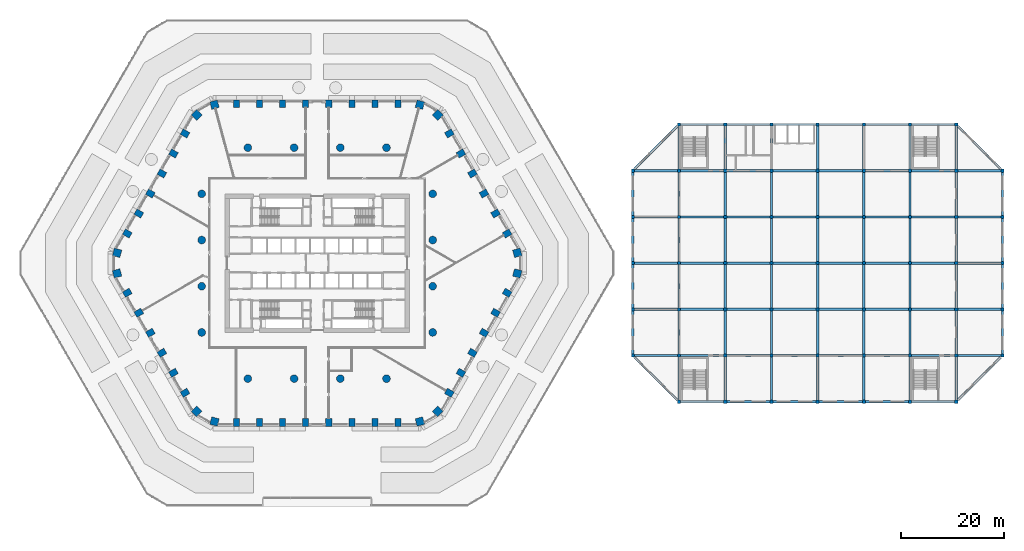
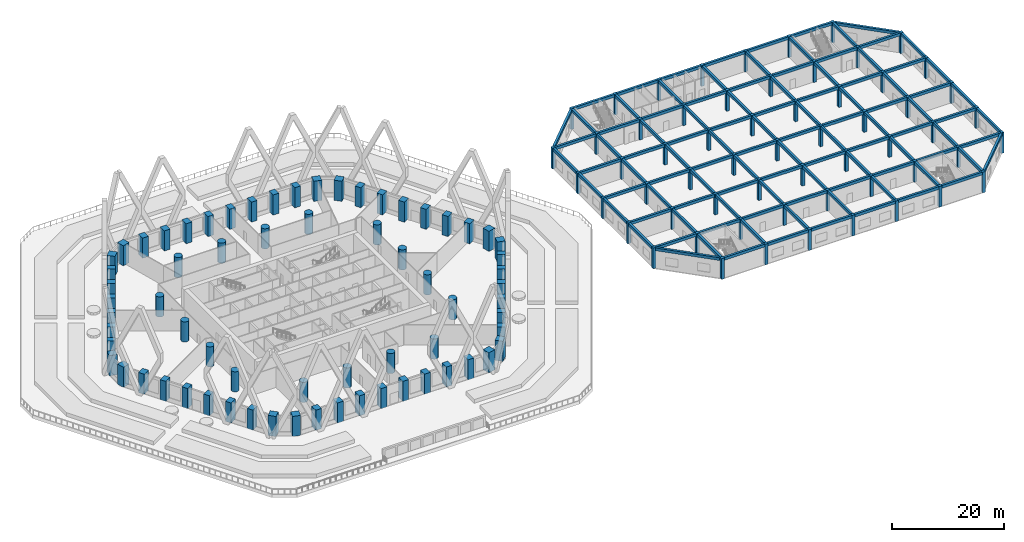
# One storey, part 1 of 27: 127 columns, 106 beams.
"""IFC4 building model written with IfcOpenShell, lengths in metres."""

from ifc_helpers import new_model, si_unit, direction, frame, origin, origin_2d, place, context, subcontext, project, spatial, rectangle, circle, extrude, material, material_profile, profile_set, type_object, element, save


model = new_model("IFC4")

# Units and contexts
model_context = context("Model", 3, precision=1e-05, world=origin(), true_north=direction((0.0, 1.0)))
body_context = subcontext(model_context, "Body", "Model", "MODEL_VIEW")
ifc_project = project(units=[si_unit("LENGTHUNIT", "METRE"), si_unit("AREAUNIT", "SQUARE_METRE"), si_unit("VOLUMEUNIT", "CUBIC_METRE"), si_unit("PLANEANGLEUNIT", "RADIAN"), si_unit("MASSUNIT", "GRAM", prefix="KILO")], contexts=[model_context])

# Site, building, storey
site_placement = place(None, origin())
site = spatial("IfcSite", under=ifc_project, at=site_placement, CompositionType="ELEMENT")
building_placement = place(site_placement, origin())
building = spatial("IfcBuilding", under=site, at=building_placement, Name="Dhurran Vertical Campus", CompositionType="ELEMENT")
storey_placement = place(building_placement, frame((0.0, 0.0, 10.800048828125)))
storey = spatial("IfcBuildingStorey", under=building, at=storey_placement, Name="L02", CompositionType="ELEMENT", Elevation=10.800048828125)

# Columns
ifc_material_1 = material(Name="Concrete C70/85", Category="concrete")
ifc_material_profile_1 = material_profile(ifc_material_1, rectangle(XDim=1.199951171875, YDim=1.5, at=origin_2d()), Name="RC 1200x1500")
ifc_profile_set_1 = profile_set([ifc_material_profile_1], Name="Concrete C70/85")
column_type_1 = type_object("IfcColumnType", Name="FR COL RC 1200x1500 C70/85", PredefinedType="COLUMN", material=ifc_profile_set_1)
for number, where, z_axis, x_axis, name in (
    (1, (-15.75, -31.02978515625, 0.0), (0.0, 0.0, 1.0), (1.0, 0.0, 0.0), "Perimeter pier PP0.01"),
    (2, (-11.25, -31.02978515625, 0.0), (0.0, 0.0, 1.0), (1.0, 0.0, 0.0), "Perimeter pier PP0.02"),
    (3, (-6.75, -31.02978515625, 0.0), (0.0, 0.0, 1.0), (1.0, 0.0, 0.0), "Perimeter pier PP0.03"),
    (4, (-2.25, -31.02978515625, 0.0), (0.0, 0.0, 1.0), (1.0, 0.0, 0.0), "Perimeter pier PP0.04"),
    (5, (2.25, -31.02978515625, 0.0), (0.0, 0.0, 1.0), (1.0, 0.0, 0.0), "Perimeter pier PP0.05"),
    (6, (6.75, -31.02978515625, 0.0), (0.0, 0.0, 1.0), (1.0, 0.0, 0.0), "Perimeter pier PP0.06"),
    (7, (11.25, -31.02978515625, 0.0), (0.0, 0.0, 1.0), (1.0, 0.0, 0.0), "Perimeter pier PP0.07"),
    (8, (15.75, -31.02978515625, 0.0), (0.0, 0.0, 1.0), (1.0, 0.0, 0.0), "Perimeter pier PP0.08"),
    (9, (25.74755859375, -25.2578125, 0.0), (0.0, 0.0, 1.0), (0.5, 0.866025403784, 0.0), "Perimeter pier PP0.11"),
    (10, (27.99755859375, -21.360595703125, 0.0), (0.0, 0.0, 1.0), (0.5, 0.866025403784, 0.0), "Perimeter pier PP0.12"),
    (11, (30.24755859375, -17.46337890625, 0.0), (0.0, 0.0, 1.0), (0.5, 0.866025403784, 0.0), "Perimeter pier PP0.13"),
    (12, (32.49755859375, -13.56640625, 0.0), (0.0, 0.0, 1.0), (0.5, 0.866025403784, 0.0), "Perimeter pier PP0.14"),
    (13, (34.74755859375, -9.669189453125, 0.0), (0.0, 0.0, 1.0), (0.5, 0.866025403784, 0.0), "Perimeter pier PP0.15"),
    (14, (36.99755859375, -5.772216796875, 0.0), (0.0, 0.0, 1.0), (0.5, 0.866025403784, 0.0), "Perimeter pier PP0.16"),
    (15, (36.99755859375, 5.772216796875, 0.0), (0.0, 0.0, 1.0), (-0.5, 0.866025403784, 0.0), "Perimeter pier PP0.19"),
    (16, (34.74755859375, 9.669189453125, 0.0), (0.0, 0.0, 1.0), (-0.5, 0.866025403784, 0.0), "Perimeter pier PP0.20"),
    (17, (32.49755859375, 13.56640625, 0.0), (0.0, 0.0, 1.0), (-0.5, 0.866025403784, 0.0), "Perimeter pier PP0.21"),
    (18, (30.24755859375, 17.46337890625, 0.0), (0.0, 0.0, 1.0), (-0.5, 0.866025403784, 0.0), "Perimeter pier PP0.22"),
    (19, (27.99755859375, 21.360595703125, 0.0), (0.0, 0.0, 1.0), (-0.5, 0.866025403784, 0.0), "Perimeter pier PP0.23"),
    (20, (25.74755859375, 25.2578125, 0.0), (0.0, 0.0, 1.0), (-0.5, 0.866025403784, 0.0), "Perimeter pier PP0.24"),
    (21, (15.75, 31.02978515625, 0.0), (0.0, 0.0, 1.0), (-1.0, 0.0, 0.0), "Perimeter pier PP0.27"),
    (22, (11.25, 31.02978515625, 0.0), (0.0, 0.0, 1.0), (-1.0, 0.0, 0.0), "Perimeter pier PP0.28"),
    (23, (6.75, 31.02978515625, 0.0), (0.0, 0.0, 1.0), (-1.0, 0.0, 0.0), "Perimeter pier PP0.29"),
    (24, (2.25, 31.02978515625, 0.0), (0.0, 0.0, 1.0), (-1.0, 0.0, 0.0), "Perimeter pier PP0.30"),
    (25, (-2.25, 31.02978515625, 0.0), (0.0, 0.0, 1.0), (-1.0, 0.0, 0.0), "Perimeter pier PP0.31"),
    (26, (-6.75, 31.02978515625, 0.0), (0.0, 0.0, 1.0), (-1.0, 0.0, 0.0), "Perimeter pier PP0.32"),
    (27, (-11.25, 31.02978515625, 0.0), (0.0, 0.0, 1.0), (-1.0, 0.0, 0.0), "Perimeter pier PP0.33"),
    (28, (-15.75, 31.02978515625, 0.0), (0.0, 0.0, 1.0), (-1.0, 0.0, 0.0), "Perimeter pier PP0.34"),
    (29, (-25.74755859375, 25.2578125, 0.0), (0.0, 0.0, 1.0), (-0.5, -0.866025403784, 0.0), "Perimeter pier PP0.37"),
    (30, (-27.99755859375, 21.360595703125, 0.0), (0.0, 0.0, 1.0), (-0.5, -0.866025403784, 0.0), "Perimeter pier PP0.38"),
    (31, (-30.24755859375, 17.46337890625, 0.0), (0.0, 0.0, 1.0), (-0.5, -0.866025403784, 0.0), "Perimeter pier PP0.39"),
    (32, (-32.49755859375, 13.56640625, 0.0), (0.0, 0.0, 1.0), (-0.5, -0.866025403784, 0.0), "Perimeter pier PP0.40"),
    (33, (-34.74755859375, 9.669189453125, 0.0), (0.0, 0.0, 1.0), (-0.5, -0.866025403784, 0.0), "Perimeter pier PP0.41"),
    (34, (-36.99755859375, 5.772216796875, 0.0), (0.0, 0.0, 1.0), (-0.5, -0.866025403784, 0.0), "Perimeter pier PP0.42"),
    (35, (-36.99755859375, -5.772216796875, 0.0), (0.0, 0.0, 1.0), (0.5, -0.866025403784, 0.0), "Perimeter pier PP0.45"),
    (36, (-34.74755859375, -9.669189453125, 0.0), (0.0, 0.0, 1.0), (0.5, -0.866025403784, 0.0), "Perimeter pier PP0.46"),
    (37, (-32.49755859375, -13.56640625, 0.0), (0.0, 0.0, 1.0), (0.5, -0.866025403784, 0.0), "Perimeter pier PP0.47"),
    (38, (-30.24755859375, -17.46337890625, 0.0), (0.0, 0.0, 1.0), (0.5, -0.866025403784, 0.0), "Perimeter pier PP0.48"),
    (39, (-27.99755859375, -21.360595703125, 0.0), (0.0, 0.0, 1.0), (0.5, -0.866025403784, 0.0), "Perimeter pier PP0.49"),
    (40, (-25.74755859375, -25.2578125, 0.0), (0.0, 0.0, 1.0), (0.5, -0.866025403784, 0.0), "Perimeter pier PP0.50"),
):
    element("IfcColumn", number, at=place(storey_placement, frame(where, z_axis=z_axis, x_axis=x_axis)), inside=storey, type_object=column_type_1, Name=name, PredefinedType="COLUMN", context=body_context, shape_type="SweptSolid", body=[
        extrude(rectangle(XDim=1.199951171875, YDim=1.5, at=origin_2d()), origin(), (0.0, 0.0, 1.0), 4.39990234375),
    ])
ifc_material_2 = material(Name="Concrete C70/85", Category="concrete")
ifc_material_profile_2 = material_profile(ifc_material_2, rectangle(XDim=1.5, YDim=1.5, at=origin_2d()), Name="RC 1500x1500")
ifc_profile_set_2 = profile_set([ifc_material_profile_2], Name="Concrete C70/85")
column_type_2 = type_object("IfcColumnType", Name="FR COL RC 1500x1500 C70/85", PredefinedType="COLUMN", material=ifc_profile_set_2)
for number, where, z_axis, x_axis, name in (
    (41, (-20.00390625, -30.861083984375, 0.0), (0.0, 0.0, 1.0), (0.965925826289, -0.258819045103, 0.0), "Perimeter pier PP0.00"),
    (42, (20.00390625, -30.861083984375, 0.0), (0.0, 0.0, 1.0), (0.965925826289, 0.258819045103, 0.0), "Perimeter pier PP0.09"),
    (43, (23.474609375, -28.857421875, 0.0), (0.0, 0.0, 1.0), (0.707106781187, 0.707106781187, 0.0), "Perimeter pier PP0.10"),
    (44, (38.978515625, -2.00390625, 0.0), (0.0, 0.0, 1.0), (0.258819045103, 0.965925826289, 0.0), "Perimeter pier PP0.17"),
    (45, (38.978515625, 2.00390625, 0.0), (0.0, 0.0, 1.0), (-0.258819045103, 0.965925826289, 0.0), "Perimeter pier PP0.18"),
    (46, (23.474609375, 28.857421875, 0.0), (0.0, 0.0, 1.0), (-0.707106781187, 0.707106781187, 0.0), "Perimeter pier PP0.25"),
    (47, (20.00390625, 30.861083984375, 0.0), (0.0, 0.0, 1.0), (-0.965925826289, 0.258819045103, 0.0), "Perimeter pier PP0.26"),
    (48, (-20.00390625, 30.861083984375, 0.0), (0.0, 0.0, 1.0), (-0.965925826289, -0.258819045103, 0.0), "Perimeter pier PP0.35"),
    (49, (-23.474609375, 28.857421875, 0.0), (0.0, 0.0, 1.0), (-0.707106781187, -0.707106781187, 0.0), "Perimeter pier PP0.36"),
    (50, (-38.978515625, 2.00390625, 0.0), (0.0, 0.0, 1.0), (-0.258819045103, -0.965925826289, 0.0), "Perimeter pier PP0.43"),
    (51, (-38.978515625, -2.00390625, 0.0), (0.0, 0.0, 1.0), (0.258819045103, -0.965925826289, 0.0), "Perimeter pier PP0.44"),
    (52, (-23.474609375, -28.857421875, 0.0), (0.0, 0.0, 1.0), (0.707106781187, -0.707106781187, 0.0), "Perimeter pier PP0.51"),
):
    element("IfcColumn", number, at=place(storey_placement, frame(where, z_axis=z_axis, x_axis=x_axis)), inside=storey, type_object=column_type_2, Name=name, PredefinedType="COLUMN", context=body_context, shape_type="SweptSolid", body=[
        extrude(rectangle(XDim=1.5, YDim=1.5, at=origin_2d()), origin(), (0.0, 0.0, 1.0), 4.39990234375),
    ])
ifc_material_3 = material(Name="Concrete C70/85", Category="concrete")
ifc_material_profile_3 = material_profile(ifc_material_3, circle(Radius=0.75, at=origin_2d()), Name="RCC D1500")
ifc_profile_set_3 = profile_set([ifc_material_profile_3], Name="Concrete C70/85")
column_type_3 = type_object("IfcColumnType", Name="FR COL RCC D1500 C70/85", PredefinedType="COLUMN", material=ifc_profile_set_3)
for number, where, z_axis, x_axis, name in (
    (53, (-22.5, -13.5, 0.0), (0.0, 0.0, 1.0), (1.0, 0.0, 0.0), "Inner column IC0-D4"),
    (54, (-22.5, -4.5, 0.0), (0.0, 0.0, 1.0), (1.0, 0.0, 0.0), "Inner column IC0-D5"),
    (55, (-22.5, 4.5, 0.0), (0.0, 0.0, 1.0), (1.0, 0.0, 0.0), "Inner column IC0-D6"),
    (56, (-22.5, 13.5, 0.0), (0.0, 0.0, 1.0), (1.0, 0.0, 0.0), "Inner column IC0-D7"),
    (57, (-13.5, -22.5, 0.0), (0.0, 0.0, 1.0), (1.0, 0.0, 0.0), "Inner column IC0-E3"),
    (58, (-13.5, 22.5, 0.0), (0.0, 0.0, 1.0), (1.0, 0.0, 0.0), "Inner column IC0-E8"),
    (59, (-4.5, -22.5, 0.0), (0.0, 0.0, 1.0), (1.0, 0.0, 0.0), "Inner column IC0-F3"),
    (60, (-4.5, 22.5, 0.0), (0.0, 0.0, 1.0), (1.0, 0.0, 0.0), "Inner column IC0-F8"),
    (61, (4.5, -22.5, 0.0), (0.0, 0.0, 1.0), (1.0, 0.0, 0.0), "Inner column IC0-G3"),
    (62, (4.5, 22.5, 0.0), (0.0, 0.0, 1.0), (1.0, 0.0, 0.0), "Inner column IC0-G8"),
    (63, (13.5, -22.5, 0.0), (0.0, 0.0, 1.0), (1.0, 0.0, 0.0), "Inner column IC0-H3"),
    (64, (13.5, 22.5, 0.0), (0.0, 0.0, 1.0), (1.0, 0.0, 0.0), "Inner column IC0-H8"),
    (65, (22.5, -13.5, 0.0), (0.0, 0.0, 1.0), (1.0, 0.0, 0.0), "Inner column IC0-J4"),
    (66, (22.5, -4.5, 0.0), (0.0, 0.0, 1.0), (1.0, 0.0, 0.0), "Inner column IC0-J5"),
    (67, (22.5, 4.5, 0.0), (0.0, 0.0, 1.0), (1.0, 0.0, 0.0), "Inner column IC0-J6"),
    (68, (22.5, 13.5, 0.0), (0.0, 0.0, 1.0), (1.0, 0.0, 0.0), "Inner column IC0-J7"),
):
    element("IfcColumn", number, at=place(storey_placement, frame(where, z_axis=z_axis, x_axis=x_axis)), inside=storey, type_object=column_type_3, Name=name, PredefinedType="COLUMN", context=body_context, shape_type="SweptSolid", body=[
        extrude(circle(Radius=0.75, at=origin_2d()), origin(), (0.0, 0.0, 1.0), 4.39990234375),
    ])
ifc_material_4 = material(Name="Concrete C45/55", Category="concrete")
ifc_material_profile_4 = material_profile(ifc_material_4, rectangle(XDim=0.60009765625, YDim=0.60009765625, at=origin_2d()), Name="hl-column 600x600 C45/55")
ifc_profile_set_4 = profile_set([ifc_material_profile_4], Name="Concrete C45/55")
column_type_4 = type_object("IfcColumnType", Name="hl-column 600x600 C45/55", PredefinedType="COLUMN", material=ifc_profile_set_4)
for number, where, z_axis, x_axis, name in (
    (69, (70.5, -27.0, 0.0), (0.0, 0.0, 1.0), (1.0, 0.0, 0.0), "Hall column HB1 L02"),
    (70, (79.5, -27.0, 0.0), (0.0, 0.0, 1.0), (1.0, 0.0, 0.0), "Hall column HC1 L02"),
    (71, (88.5, -27.0, 0.0), (0.0, 0.0, 1.0), (1.0, 0.0, 0.0), "Hall column HD1 L02"),
    (72, (97.5, -27.0, 0.0), (0.0, 0.0, 1.0), (1.0, 0.0, 0.0), "Hall column HE1 L02"),
    (73, (106.5, -27.0, 0.0), (0.0, 0.0, 1.0), (1.0, 0.0, 0.0), "Hall column HF1 L02"),
    (74, (115.5, -27.0, 0.0), (0.0, 0.0, 1.0), (1.0, 0.0, 0.0), "Hall column HG1 L02"),
    (75, (124.5, -27.0, 0.0), (0.0, 0.0, 1.0), (1.0, 0.0, 0.0), "Hall column HH1 L02"),
    (76, (61.5, -18.0, 0.0), (0.0, 0.0, 1.0), (1.0, 0.0, 0.0), "Hall column HA2 L02"),
    (77, (70.5, -18.0, 0.0), (0.0, 0.0, 1.0), (1.0, 0.0, 0.0), "Hall column HB2 L02"),
    (78, (79.5, -18.0, 0.0), (0.0, 0.0, 1.0), (1.0, 0.0, 0.0), "Hall column HC2 L02"),
    (79, (88.5, -18.0, 0.0), (0.0, 0.0, 1.0), (1.0, 0.0, 0.0), "Hall column HD2 L02"),
    (80, (97.5, -18.0, 0.0), (0.0, 0.0, 1.0), (1.0, 0.0, 0.0), "Hall column HE2 L02"),
    (81, (106.5, -18.0, 0.0), (0.0, 0.0, 1.0), (1.0, 0.0, 0.0), "Hall column HF2 L02"),
    (82, (115.5, -18.0, 0.0), (0.0, 0.0, 1.0), (1.0, 0.0, 0.0), "Hall column HG2 L02"),
    (83, (124.5, -18.0, 0.0), (0.0, 0.0, 1.0), (1.0, 0.0, 0.0), "Hall column HH2 L02"),
    (84, (133.5, -18.0, 0.0), (0.0, 0.0, 1.0), (1.0, 0.0, 0.0), "Hall column HJ2 L02"),
    (85, (61.5, -9.0, 0.0), (0.0, 0.0, 1.0), (1.0, 0.0, 0.0), "Hall column HA3 L02"),
    (86, (70.5, -9.0, 0.0), (0.0, 0.0, 1.0), (1.0, 0.0, 0.0), "Hall column HB3 L02"),
    (87, (79.5, -9.0, 0.0), (0.0, 0.0, 1.0), (1.0, 0.0, 0.0), "Hall column HC3 L02"),
    (88, (88.5, -9.0, 0.0), (0.0, 0.0, 1.0), (1.0, 0.0, 0.0), "Hall column HD3 L02"),
    (89, (97.5, -9.0, 0.0), (0.0, 0.0, 1.0), (1.0, 0.0, 0.0), "Hall column HE3 L02"),
    (90, (106.5, -9.0, 0.0), (0.0, 0.0, 1.0), (1.0, 0.0, 0.0), "Hall column HF3 L02"),
    (91, (115.5, -9.0, 0.0), (0.0, 0.0, 1.0), (1.0, 0.0, 0.0), "Hall column HG3 L02"),
    (92, (124.5, -9.0, 0.0), (0.0, 0.0, 1.0), (1.0, 0.0, 0.0), "Hall column HH3 L02"),
    (93, (133.5, -9.0, 0.0), (0.0, 0.0, 1.0), (1.0, 0.0, 0.0), "Hall column HJ3 L02"),
    (94, (61.5, 0.0, 0.0), (0.0, 0.0, 1.0), (1.0, 0.0, 0.0), "Hall column HA4 L02"),
    (95, (70.5, 0.0, 0.0), (0.0, 0.0, 1.0), (1.0, 0.0, 0.0), "Hall column HB4 L02"),
    (96, (79.5, 0.0, 0.0), (0.0, 0.0, 1.0), (1.0, 0.0, 0.0), "Hall column HC4 L02"),
    (97, (88.5, 0.0, 0.0), (0.0, 0.0, 1.0), (1.0, 0.0, 0.0), "Hall column HD4 L02"),
    (98, (97.5, 0.0, 0.0), (0.0, 0.0, 1.0), (1.0, 0.0, 0.0), "Hall column HE4 L02"),
    (99, (106.5, 0.0, 0.0), (0.0, 0.0, 1.0), (1.0, 0.0, 0.0), "Hall column HF4 L02"),
    (100, (115.5, 0.0, 0.0), (0.0, 0.0, 1.0), (1.0, 0.0, 0.0), "Hall column HG4 L02"),
    (101, (124.5, 0.0, 0.0), (0.0, 0.0, 1.0), (1.0, 0.0, 0.0), "Hall column HH4 L02"),
    (102, (133.5, 0.0, 0.0), (0.0, 0.0, 1.0), (1.0, 0.0, 0.0), "Hall column HJ4 L02"),
    (103, (61.5, 9.0, 0.0), (0.0, 0.0, 1.0), (1.0, 0.0, 0.0), "Hall column HA5 L02"),
    (104, (70.5, 9.0, 0.0), (0.0, 0.0, 1.0), (1.0, 0.0, 0.0), "Hall column HB5 L02"),
    (105, (79.5, 9.0, 0.0), (0.0, 0.0, 1.0), (1.0, 0.0, 0.0), "Hall column HC5 L02"),
    (106, (88.5, 9.0, 0.0), (0.0, 0.0, 1.0), (1.0, 0.0, 0.0), "Hall column HD5 L02"),
    (107, (97.5, 9.0, 0.0), (0.0, 0.0, 1.0), (1.0, 0.0, 0.0), "Hall column HE5 L02"),
    (108, (106.5, 9.0, 0.0), (0.0, 0.0, 1.0), (1.0, 0.0, 0.0), "Hall column HF5 L02"),
    (109, (115.5, 9.0, 0.0), (0.0, 0.0, 1.0), (1.0, 0.0, 0.0), "Hall column HG5 L02"),
    (110, (124.5, 9.0, 0.0), (0.0, 0.0, 1.0), (1.0, 0.0, 0.0), "Hall column HH5 L02"),
    (111, (133.5, 9.0, 0.0), (0.0, 0.0, 1.0), (1.0, 0.0, 0.0), "Hall column HJ5 L02"),
    (112, (61.5, 18.0, 0.0), (0.0, 0.0, 1.0), (1.0, 0.0, 0.0), "Hall column HA6 L02"),
    (113, (70.5, 18.0, 0.0), (0.0, 0.0, 1.0), (1.0, 0.0, 0.0), "Hall column HB6 L02"),
    (114, (79.5, 18.0, 0.0), (0.0, 0.0, 1.0), (1.0, 0.0, 0.0), "Hall column HC6 L02"),
    (115, (88.5, 18.0, 0.0), (0.0, 0.0, 1.0), (1.0, 0.0, 0.0), "Hall column HD6 L02"),
    (116, (97.5, 18.0, 0.0), (0.0, 0.0, 1.0), (1.0, 0.0, 0.0), "Hall column HE6 L02"),
    (117, (106.5, 18.0, 0.0), (0.0, 0.0, 1.0), (1.0, 0.0, 0.0), "Hall column HF6 L02"),
    (118, (115.5, 18.0, 0.0), (0.0, 0.0, 1.0), (1.0, 0.0, 0.0), "Hall column HG6 L02"),
    (119, (124.5, 18.0, 0.0), (0.0, 0.0, 1.0), (1.0, 0.0, 0.0), "Hall column HH6 L02"),
    (120, (133.5, 18.0, 0.0), (0.0, 0.0, 1.0), (1.0, 0.0, 0.0), "Hall column HJ6 L02"),
    (121, (70.5, 27.0, 0.0), (0.0, 0.0, 1.0), (1.0, 0.0, 0.0), "Hall column HB7 L02"),
    (122, (79.5, 27.0, 0.0), (0.0, 0.0, 1.0), (1.0, 0.0, 0.0), "Hall column HC7 L02"),
    (123, (88.5, 27.0, 0.0), (0.0, 0.0, 1.0), (1.0, 0.0, 0.0), "Hall column HD7 L02"),
    (124, (97.5, 27.0, 0.0), (0.0, 0.0, 1.0), (1.0, 0.0, 0.0), "Hall column HE7 L02"),
    (125, (106.5, 27.0, 0.0), (0.0, 0.0, 1.0), (1.0, 0.0, 0.0), "Hall column HF7 L02"),
    (126, (115.5, 27.0, 0.0), (0.0, 0.0, 1.0), (1.0, 0.0, 0.0), "Hall column HG7 L02"),
    (127, (124.5, 27.0, 0.0), (0.0, 0.0, 1.0), (1.0, 0.0, 0.0), "Hall column HH7 L02"),
):
    element("IfcColumn", number, at=place(storey_placement, frame(where, z_axis=z_axis, x_axis=x_axis)), inside=storey, type_object=column_type_4, Name=name, PredefinedType="COLUMN", context=body_context, shape_type="SweptSolid", body=[
        extrude(rectangle(XDim=0.60009765625, YDim=0.60009765625, at=origin_2d()), origin(), (0.0, 0.0, 1.0), 4.52001953125),
    ])

# Beams
ifc_material_5 = material(Name="Concrete C40/50", Category="concrete")
ifc_material_profile_5 = material_profile(ifc_material_5, rectangle(XDim=0.449951171875, YDim=0.6201171875, at=origin_2d()), Name="hl-girder 450x620")
ifc_profile_set_5 = profile_set([ifc_material_profile_5], Name="Concrete C40/50")
beam_type = type_object("IfcBeamType", Name="hl-girder 450x620", PredefinedType="BEAM", material=ifc_profile_set_5)
beam_1_placement = place(storey_placement, frame((61.5, -17.699951171875, 4.2099609375), z_axis=(0.0, 1.0, 0.0), x_axis=(-1.0, 0.0, 0.0)))
element("IfcBeam", 128, at=beam_1_placement, inside=storey, type_object=beam_type, Name="Hall girder L02-001", PredefinedType="BEAM", context=body_context, shape_type="SweptSolid", body=[
    extrude(rectangle(XDim=0.449951171875, YDim=0.6201171875, at=origin_2d()), origin(), (0.0, 0.0, 1.0), 8.39990234375),
])
beam_2_placement = place(storey_placement, frame((61.800048828125, -18.300048828125, 4.2099609375), z_axis=(0.707106781187, -0.707106781187, 0.0), x_axis=(0.707106781187, 0.707106781187, 0.0)))
element("IfcBeam", 129, at=beam_2_placement, inside=storey, type_object=beam_type, Name="Hall girder L02-002", PredefinedType="BEAM", context=body_context, shape_type="SweptSolid", body=[
    extrude(rectangle(XDim=0.449951171875, YDim=0.6201171875, at=origin_2d()), origin(), (0.0, 0.0, 1.0), 11.879150390625),
])
for number, where, z_axis, x_axis, name in (
    (130, (61.800048828125, -18.0, 4.2099609375), (1.0, 0.0, 0.0), (0.0, 1.0, 0.0), "Hall girder L02-003"),
    (131, (61.5, -8.699951171875, 4.2099609375), (0.0, 1.0, 0.0), (-1.0, 0.0, 0.0), "Hall girder L02-004"),
    (132, (61.800048828125, -9.0, 4.2099609375), (1.0, 0.0, 0.0), (0.0, 1.0, 0.0), "Hall girder L02-005"),
    (133, (61.5, 0.300048828125, 4.2099609375), (0.0, 1.0, 0.0), (-1.0, 0.0, 0.0), "Hall girder L02-006"),
    (134, (61.800048828125, 0.0, 4.2099609375), (1.0, 0.0, 0.0), (0.0, 1.0, 0.0), "Hall girder L02-007"),
    (135, (61.5, 9.300048828125, 4.2099609375), (0.0, 1.0, 0.0), (-1.0, 0.0, 0.0), "Hall girder L02-008"),
    (136, (61.800048828125, 9.0, 4.2099609375), (1.0, 0.0, 0.0), (0.0, 1.0, 0.0), "Hall girder L02-009"),
    (137, (61.800048828125, 18.0, 4.2099609375), (1.0, 0.0, 0.0), (0.0, 1.0, 0.0), "Hall girder L02-010"),
    (138, (70.5, -26.699951171875, 4.2099609375), (0.0, 1.0, 0.0), (-1.0, 0.0, 0.0), "Hall girder L02-011"),
    (139, (70.800048828125, -27.0, 4.2099609375), (1.0, 0.0, 0.0), (0.0, 1.0, 0.0), "Hall girder L02-012"),
    (140, (70.5, -17.699951171875, 4.2099609375), (0.0, 1.0, 0.0), (-1.0, 0.0, 0.0), "Hall girder L02-013"),
    (141, (70.800048828125, -18.0, 4.2099609375), (1.0, 0.0, 0.0), (0.0, 1.0, 0.0), "Hall girder L02-014"),
    (142, (70.5, -8.699951171875, 4.2099609375), (0.0, 1.0, 0.0), (-1.0, 0.0, 0.0), "Hall girder L02-015"),
    (143, (70.800048828125, -9.0, 4.2099609375), (1.0, 0.0, 0.0), (0.0, 1.0, 0.0), "Hall girder L02-016"),
    (144, (70.5, 0.300048828125, 4.2099609375), (0.0, 1.0, 0.0), (-1.0, 0.0, 0.0), "Hall girder L02-017"),
    (145, (70.800048828125, 0.0, 4.2099609375), (1.0, 0.0, 0.0), (0.0, 1.0, 0.0), "Hall girder L02-018"),
    (146, (70.5, 9.300048828125, 4.2099609375), (0.0, 1.0, 0.0), (-1.0, 0.0, 0.0), "Hall girder L02-019"),
    (147, (70.800048828125, 9.0, 4.2099609375), (1.0, 0.0, 0.0), (0.0, 1.0, 0.0), "Hall girder L02-020"),
    (148, (70.5, 18.300048828125, 4.2099609375), (0.0, 1.0, 0.0), (-1.0, 0.0, 0.0), "Hall girder L02-021"),
    (149, (70.800048828125, 18.0, 4.2099609375), (1.0, 0.0, 0.0), (0.0, 1.0, 0.0), "Hall girder L02-022"),
):
    element("IfcBeam", number, at=place(storey_placement, frame(where, z_axis=z_axis, x_axis=x_axis)), inside=storey, type_object=beam_type, Name=name, PredefinedType="BEAM", context=body_context, shape_type="SweptSolid", body=[
        extrude(rectangle(XDim=0.449951171875, YDim=0.6201171875, at=origin_2d()), origin(), (0.0, 0.0, 1.0), 8.39990234375),
    ])
beam_3_placement = place(storey_placement, frame((70.199951171875, 26.699951171875, 4.2099609375), z_axis=(-0.707106781187, -0.707106781187, 0.0), x_axis=(0.707106781187, -0.707106781187, 0.0)))
element("IfcBeam", 150, at=beam_3_placement, inside=storey, type_object=beam_type, Name="Hall girder L02-023", PredefinedType="BEAM", context=body_context, shape_type="SweptSolid", body=[
    extrude(rectangle(XDim=0.449951171875, YDim=0.6201171875, at=origin_2d()), origin(), (0.0, 0.0, 1.0), 11.879150390625),
])
for number, where, z_axis, x_axis, name in (
    (151, (70.800048828125, 27.0, 4.2099609375), (1.0, 0.0, 0.0), (0.0, 1.0, 0.0), "Hall girder L02-024"),
    (152, (79.5, -26.699951171875, 4.2099609375), (0.0, 1.0, 0.0), (-1.0, 0.0, 0.0), "Hall girder L02-025"),
    (153, (79.800048828125, -27.0, 4.2099609375), (1.0, 0.0, 0.0), (0.0, 1.0, 0.0), "Hall girder L02-026"),
    (154, (79.5, -17.699951171875, 4.2099609375), (0.0, 1.0, 0.0), (-1.0, 0.0, 0.0), "Hall girder L02-027"),
    (155, (79.800048828125, -18.0, 4.2099609375), (1.0, 0.0, 0.0), (0.0, 1.0, 0.0), "Hall girder L02-028"),
    (156, (79.5, -8.699951171875, 4.2099609375), (0.0, 1.0, 0.0), (-1.0, 0.0, 0.0), "Hall girder L02-029"),
    (157, (79.800048828125, -9.0, 4.2099609375), (1.0, 0.0, 0.0), (0.0, 1.0, 0.0), "Hall girder L02-030"),
    (158, (79.5, 0.300048828125, 4.2099609375), (0.0, 1.0, 0.0), (-1.0, 0.0, 0.0), "Hall girder L02-031"),
    (159, (79.800048828125, 0.0, 4.2099609375), (1.0, 0.0, 0.0), (0.0, 1.0, 0.0), "Hall girder L02-032"),
    (160, (79.5, 9.300048828125, 4.2099609375), (0.0, 1.0, 0.0), (-1.0, 0.0, 0.0), "Hall girder L02-033"),
    (161, (79.800048828125, 9.0, 4.2099609375), (1.0, 0.0, 0.0), (0.0, 1.0, 0.0), "Hall girder L02-034"),
    (162, (79.5, 18.300048828125, 4.2099609375), (0.0, 1.0, 0.0), (-1.0, 0.0, 0.0), "Hall girder L02-035"),
    (163, (79.800048828125, 18.0, 4.2099609375), (1.0, 0.0, 0.0), (0.0, 1.0, 0.0), "Hall girder L02-036"),
    (164, (79.800048828125, 27.0, 4.2099609375), (1.0, 0.0, 0.0), (0.0, 1.0, 0.0), "Hall girder L02-037"),
    (165, (88.5, -26.699951171875, 4.2099609375), (0.0, 1.0, 0.0), (-1.0, 0.0, 0.0), "Hall girder L02-038"),
    (166, (88.800048828125, -27.0, 4.2099609375), (1.0, 0.0, 0.0), (0.0, 1.0, 0.0), "Hall girder L02-039"),
    (167, (88.5, -17.699951171875, 4.2099609375), (0.0, 1.0, 0.0), (-1.0, 0.0, 0.0), "Hall girder L02-040"),
    (168, (88.800048828125, -18.0, 4.2099609375), (1.0, 0.0, 0.0), (0.0, 1.0, 0.0), "Hall girder L02-041"),
    (169, (88.5, -8.699951171875, 4.2099609375), (0.0, 1.0, 0.0), (-1.0, 0.0, 0.0), "Hall girder L02-042"),
    (170, (88.800048828125, -9.0, 4.2099609375), (1.0, 0.0, 0.0), (0.0, 1.0, 0.0), "Hall girder L02-043"),
    (171, (88.5, 0.300048828125, 4.2099609375), (0.0, 1.0, 0.0), (-1.0, 0.0, 0.0), "Hall girder L02-044"),
    (172, (88.800048828125, 0.0, 4.2099609375), (1.0, 0.0, 0.0), (0.0, 1.0, 0.0), "Hall girder L02-045"),
    (173, (88.5, 9.300048828125, 4.2099609375), (0.0, 1.0, 0.0), (-1.0, 0.0, 0.0), "Hall girder L02-046"),
    (174, (88.800048828125, 9.0, 4.2099609375), (1.0, 0.0, 0.0), (0.0, 1.0, 0.0), "Hall girder L02-047"),
    (175, (88.5, 18.300048828125, 4.2099609375), (0.0, 1.0, 0.0), (-1.0, 0.0, 0.0), "Hall girder L02-048"),
    (176, (88.800048828125, 18.0, 4.2099609375), (1.0, 0.0, 0.0), (0.0, 1.0, 0.0), "Hall girder L02-049"),
    (177, (88.800048828125, 27.0, 4.2099609375), (1.0, 0.0, 0.0), (0.0, 1.0, 0.0), "Hall girder L02-050"),
    (178, (97.5, -26.699951171875, 4.2099609375), (0.0, 1.0, 0.0), (-1.0, 0.0, 0.0), "Hall girder L02-051"),
    (179, (97.800048828125, -27.0, 4.2099609375), (1.0, 0.0, 0.0), (0.0, 1.0, 0.0), "Hall girder L02-052"),
    (180, (97.5, -17.699951171875, 4.2099609375), (0.0, 1.0, 0.0), (-1.0, 0.0, 0.0), "Hall girder L02-053"),
    (181, (97.800048828125, -18.0, 4.2099609375), (1.0, 0.0, 0.0), (0.0, 1.0, 0.0), "Hall girder L02-054"),
    (182, (97.5, -8.699951171875, 4.2099609375), (0.0, 1.0, 0.0), (-1.0, 0.0, 0.0), "Hall girder L02-055"),
    (183, (97.800048828125, -9.0, 4.2099609375), (1.0, 0.0, 0.0), (0.0, 1.0, 0.0), "Hall girder L02-056"),
    (184, (97.5, 0.300048828125, 4.2099609375), (0.0, 1.0, 0.0), (-1.0, 0.0, 0.0), "Hall girder L02-057"),
    (185, (97.800048828125, 0.0, 4.2099609375), (1.0, 0.0, 0.0), (0.0, 1.0, 0.0), "Hall girder L02-058"),
    (186, (97.5, 9.300048828125, 4.2099609375), (0.0, 1.0, 0.0), (-1.0, 0.0, 0.0), "Hall girder L02-059"),
    (187, (97.800048828125, 9.0, 4.2099609375), (1.0, 0.0, 0.0), (0.0, 1.0, 0.0), "Hall girder L02-060"),
    (188, (97.5, 18.300048828125, 4.2099609375), (0.0, 1.0, 0.0), (-1.0, 0.0, 0.0), "Hall girder L02-061"),
    (189, (97.800048828125, 18.0, 4.2099609375), (1.0, 0.0, 0.0), (0.0, 1.0, 0.0), "Hall girder L02-062"),
    (190, (97.800048828125, 27.0, 4.2099609375), (1.0, 0.0, 0.0), (0.0, 1.0, 0.0), "Hall girder L02-063"),
    (191, (106.5, -26.699951171875, 4.2099609375), (0.0, 1.0, 0.0), (-1.0, 0.0, 0.0), "Hall girder L02-064"),
    (192, (106.800048828125, -27.0, 4.2099609375), (1.0, 0.0, 0.0), (0.0, 1.0, 0.0), "Hall girder L02-065"),
    (193, (106.5, -17.699951171875, 4.2099609375), (0.0, 1.0, 0.0), (-1.0, 0.0, 0.0), "Hall girder L02-066"),
    (194, (106.800048828125, -18.0, 4.2099609375), (1.0, 0.0, 0.0), (0.0, 1.0, 0.0), "Hall girder L02-067"),
    (195, (106.5, -8.699951171875, 4.2099609375), (0.0, 1.0, 0.0), (-1.0, 0.0, 0.0), "Hall girder L02-068"),
    (196, (106.800048828125, -9.0, 4.2099609375), (1.0, 0.0, 0.0), (0.0, 1.0, 0.0), "Hall girder L02-069"),
    (197, (106.5, 0.300048828125, 4.2099609375), (0.0, 1.0, 0.0), (-1.0, 0.0, 0.0), "Hall girder L02-070"),
    (198, (106.800048828125, 0.0, 4.2099609375), (1.0, 0.0, 0.0), (0.0, 1.0, 0.0), "Hall girder L02-071"),
    (199, (106.5, 9.300048828125, 4.2099609375), (0.0, 1.0, 0.0), (-1.0, 0.0, 0.0), "Hall girder L02-072"),
    (200, (106.800048828125, 9.0, 4.2099609375), (1.0, 0.0, 0.0), (0.0, 1.0, 0.0), "Hall girder L02-073"),
    (201, (106.5, 18.300048828125, 4.2099609375), (0.0, 1.0, 0.0), (-1.0, 0.0, 0.0), "Hall girder L02-074"),
    (202, (106.800048828125, 18.0, 4.2099609375), (1.0, 0.0, 0.0), (0.0, 1.0, 0.0), "Hall girder L02-075"),
    (203, (106.800048828125, 27.0, 4.2099609375), (1.0, 0.0, 0.0), (0.0, 1.0, 0.0), "Hall girder L02-076"),
    (204, (115.5, -26.699951171875, 4.2099609375), (0.0, 1.0, 0.0), (-1.0, 0.0, 0.0), "Hall girder L02-077"),
    (205, (115.800048828125, -27.0, 4.2099609375), (1.0, 0.0, 0.0), (0.0, 1.0, 0.0), "Hall girder L02-078"),
    (206, (115.5, -17.699951171875, 4.2099609375), (0.0, 1.0, 0.0), (-1.0, 0.0, 0.0), "Hall girder L02-079"),
    (207, (115.800048828125, -18.0, 4.2099609375), (1.0, 0.0, 0.0), (0.0, 1.0, 0.0), "Hall girder L02-080"),
    (208, (115.5, -8.699951171875, 4.2099609375), (0.0, 1.0, 0.0), (-1.0, 0.0, 0.0), "Hall girder L02-081"),
    (209, (115.800048828125, -9.0, 4.2099609375), (1.0, 0.0, 0.0), (0.0, 1.0, 0.0), "Hall girder L02-082"),
    (210, (115.5, 0.300048828125, 4.2099609375), (0.0, 1.0, 0.0), (-1.0, 0.0, 0.0), "Hall girder L02-083"),
    (211, (115.800048828125, 0.0, 4.2099609375), (1.0, 0.0, 0.0), (0.0, 1.0, 0.0), "Hall girder L02-084"),
    (212, (115.5, 9.300048828125, 4.2099609375), (0.0, 1.0, 0.0), (-1.0, 0.0, 0.0), "Hall girder L02-085"),
    (213, (115.800048828125, 9.0, 4.2099609375), (1.0, 0.0, 0.0), (0.0, 1.0, 0.0), "Hall girder L02-086"),
    (214, (115.5, 18.300048828125, 4.2099609375), (0.0, 1.0, 0.0), (-1.0, 0.0, 0.0), "Hall girder L02-087"),
    (215, (115.800048828125, 18.0, 4.2099609375), (1.0, 0.0, 0.0), (0.0, 1.0, 0.0), "Hall girder L02-088"),
    (216, (115.800048828125, 27.0, 4.2099609375), (1.0, 0.0, 0.0), (0.0, 1.0, 0.0), "Hall girder L02-089"),
    (217, (124.5, -26.699951171875, 4.2099609375), (0.0, 1.0, 0.0), (-1.0, 0.0, 0.0), "Hall girder L02-090"),
):
    element("IfcBeam", number, at=place(storey_placement, frame(where, z_axis=z_axis, x_axis=x_axis)), inside=storey, type_object=beam_type, Name=name, PredefinedType="BEAM", context=body_context, shape_type="SweptSolid", body=[
        extrude(rectangle(XDim=0.449951171875, YDim=0.6201171875, at=origin_2d()), origin(), (0.0, 0.0, 1.0), 8.39990234375),
    ])
beam_4_placement = place(storey_placement, frame((124.800048828125, -26.699951171875, 4.2099609375), z_axis=(0.707106781187, 0.707106781187, 0.0), x_axis=(-0.707106781187, 0.707106781187, 0.0)))
element("IfcBeam", 218, at=beam_4_placement, inside=storey, type_object=beam_type, Name="Hall girder L02-091", PredefinedType="BEAM", context=body_context, shape_type="SweptSolid", body=[
    extrude(rectangle(XDim=0.449951171875, YDim=0.6201171875, at=origin_2d()), origin(), (0.0, 0.0, 1.0), 11.879150390625),
])
for number, where, z_axis, x_axis, name in (
    (219, (124.5, -17.699951171875, 4.2099609375), (0.0, 1.0, 0.0), (-1.0, 0.0, 0.0), "Hall girder L02-092"),
    (220, (124.800048828125, -18.0, 4.2099609375), (1.0, 0.0, 0.0), (0.0, 1.0, 0.0), "Hall girder L02-093"),
    (221, (124.5, -8.699951171875, 4.2099609375), (0.0, 1.0, 0.0), (-1.0, 0.0, 0.0), "Hall girder L02-094"),
    (222, (124.800048828125, -9.0, 4.2099609375), (1.0, 0.0, 0.0), (0.0, 1.0, 0.0), "Hall girder L02-095"),
    (223, (124.5, 0.300048828125, 4.2099609375), (0.0, 1.0, 0.0), (-1.0, 0.0, 0.0), "Hall girder L02-096"),
    (224, (124.800048828125, 0.0, 4.2099609375), (1.0, 0.0, 0.0), (0.0, 1.0, 0.0), "Hall girder L02-097"),
    (225, (124.5, 9.300048828125, 4.2099609375), (0.0, 1.0, 0.0), (-1.0, 0.0, 0.0), "Hall girder L02-098"),
    (226, (124.800048828125, 9.0, 4.2099609375), (1.0, 0.0, 0.0), (0.0, 1.0, 0.0), "Hall girder L02-099"),
    (227, (124.5, 18.300048828125, 4.2099609375), (0.0, 1.0, 0.0), (-1.0, 0.0, 0.0), "Hall girder L02-100"),
    (228, (124.800048828125, 18.0, 4.2099609375), (1.0, 0.0, 0.0), (0.0, 1.0, 0.0), "Hall girder L02-101"),
    (229, (133.5, -17.699951171875, 4.2099609375), (0.0, 1.0, 0.0), (-1.0, 0.0, 0.0), "Hall girder L02-102"),
    (230, (133.5, -8.699951171875, 4.2099609375), (0.0, 1.0, 0.0), (-1.0, 0.0, 0.0), "Hall girder L02-103"),
    (231, (133.5, 0.300048828125, 4.2099609375), (0.0, 1.0, 0.0), (-1.0, 0.0, 0.0), "Hall girder L02-104"),
    (232, (133.5, 9.300048828125, 4.2099609375), (0.0, 1.0, 0.0), (-1.0, 0.0, 0.0), "Hall girder L02-105"),
):
    element("IfcBeam", number, at=place(storey_placement, frame(where, z_axis=z_axis, x_axis=x_axis)), inside=storey, type_object=beam_type, Name=name, PredefinedType="BEAM", context=body_context, shape_type="SweptSolid", body=[
        extrude(rectangle(XDim=0.449951171875, YDim=0.6201171875, at=origin_2d()), origin(), (0.0, 0.0, 1.0), 8.39990234375),
    ])
beam_5_placement = place(storey_placement, frame((133.199951171875, 18.300048828125, 4.2099609375), z_axis=(-0.707106781187, 0.707106781187, 0.0), x_axis=(-0.707106781187, -0.707106781187, 0.0)))
element("IfcBeam", 233, at=beam_5_placement, inside=storey, type_object=beam_type, Name="Hall girder L02-106", PredefinedType="BEAM", context=body_context, shape_type="SweptSolid", body=[
    extrude(rectangle(XDim=0.449951171875, YDim=0.6201171875, at=origin_2d()), origin(), (0.0, 0.0, 1.0), 11.879150390625),
])

save(model, "model.ifc")
